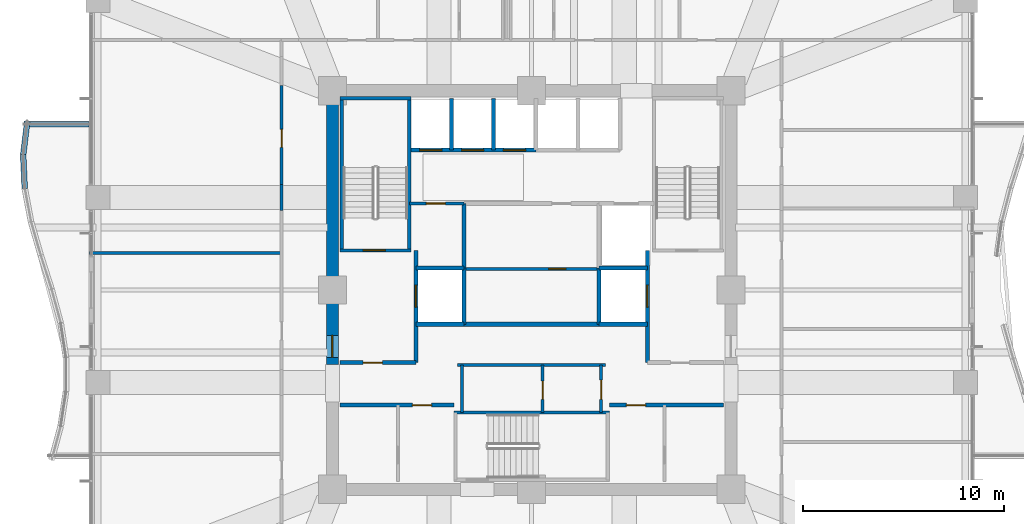
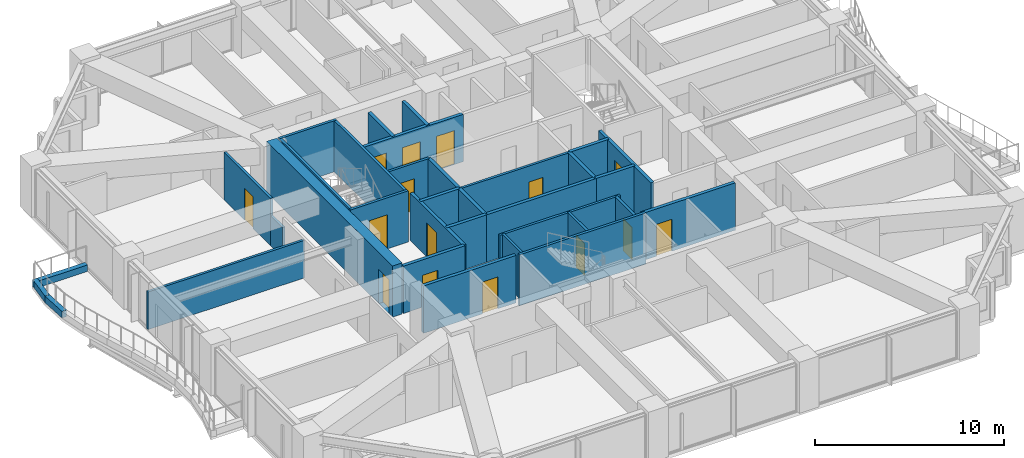
# One storey, part 33 of 39: 34 walls, 15 doors, 15 openings.
"""IFC4 building model written with IfcOpenShell, lengths in metres."""

from ifc_helpers import new_model, si_unit, direction, frame, frame_2d, origin, place, context, subcontext, project, spatial, rectangle, extrude, material, layer, layer_set, type_object, element, fill, save


model = new_model("IFC4")

# Units and contexts
model_context = context("Model", 3, precision=1e-05, world=origin(), true_north=direction((0.0, 1.0)))
body_context = subcontext(model_context, "Body", "Model", "MODEL_VIEW")
ifc_project = project(units=[si_unit("LENGTHUNIT", "METRE"), si_unit("AREAUNIT", "SQUARE_METRE"), si_unit("VOLUMEUNIT", "CUBIC_METRE"), si_unit("PLANEANGLEUNIT", "RADIAN"), si_unit("MASSUNIT", "GRAM", prefix="KILO")], contexts=[model_context])

# Site, building, storey
site_placement = place(None, origin())
site = spatial("IfcSite", under=ifc_project, at=site_placement, CompositionType="ELEMENT")
building_placement = place(site_placement, origin())
building = spatial("IfcBuilding", under=site, at=building_placement, Name="Kolvaren Belvedere", CompositionType="ELEMENT")
storey_placement = place(building_placement, frame((0.0, 0.0, 33.699951171875)))
storey = spatial("IfcBuildingStorey", under=building, at=storey_placement, Name="L09", CompositionType="ELEMENT", Elevation=33.699951171875)

# Wall, opening, door
ifc_material_1 = material(Name="Concrete C60/75", Category="concrete")
ifc_layer_1 = layer(ifc_material_1, 0.60009765625)
ifc_layer_set_1 = layer_set([ifc_layer_1], Name="Concrete C60/75")
wall_type_1 = type_object("IfcWallType", Name="CW-CORE-600", PredefinedType="SHEAR", material=ifc_layer_set_1)
wall_1_placement = place(storey_placement, frame((-9.89990234375, -3.699951171875, 0.0), z_axis=(0.0, 0.0, 1.0), x_axis=(0.0, 1.0, 0.0)))
wall_1 = element("IfcWall", 1, at=wall_1_placement, inside=storey, type_object=wall_type_1, Name="L09 West Core Shear Wall 2", PredefinedType="SHEAR", context=body_context, shape_type="SweptSolid", body=[
    extrude(rectangle(XDim=13.300048828125, YDim=0.60009765625, at=frame_2d((6.64990234375, 0.0))), origin(), (0.0, 0.0, 1.0), 3.300048828125),
])
opening_1_placement = place(wall_1_placement, frame((0.35009765625, 0.0, 0.0)))
opening_1 = element("IfcOpeningElement", 2, at=opening_1_placement, cuts=wall_1, Name="Opening D-FD90", PredefinedType="OPENING", context=body_context, shape_type="SweptSolid", body=[
    extrude(rectangle(XDim=1.10009765625, YDim=2.199951171875, at=frame_2d((0.550048828125, 1.10009765625))), frame((0.0, 0.31005859375, 0.0), z_axis=(0.0, -1.0, 0.0), x_axis=(1.0, 0.0, 0.0)), (0.0, 0.0, 1.0), 0.6201171875),
])
ifc_material_2 = material(Name="Painted hollow stainless steel", Category="steel")
door_type_1 = type_object("IfcDoorType", Name="DR-FD90-1100", OperationType="NOTDEFINED", PredefinedType="DOOR", material=ifc_material_2)
door_1_placement = place(opening_1_placement, origin())
door_1 = element("IfcDoor", 3, at=door_1_placement, inside=storey, type_object=door_type_1, Name="L09 West Firefighting Lobby Fire Door", OperationType="SINGLE_SWING_LEFT", OverallHeight=2.199951171875, OverallWidth=1.10009765625, PredefinedType="DOOR", context=body_context, shape_type="SweptSolid", body=[
    extrude(rectangle(XDim=1.10009765625, YDim=2.199951171875, at=frame_2d((0.550048828125, 1.10009765625))), frame((0.0, 0.02490234375, 0.0), z_axis=(0.0, -1.0, 0.0), x_axis=(1.0, 0.0, 0.0)), (0.0, 0.0, 1.0), 0.050048828125),
])
fill(opening_1, door_1)

ifc_material_3 = material(Name="Concrete C50/60", Category="concrete")
ifc_layer_2 = layer(ifc_material_3, 0.159912109375)
ifc_layer_set_2 = layer_set([ifc_layer_2], Name="Concrete C50/60")
wall_type_2 = type_object("IfcWallType", Name="CW-STAIR-160", PredefinedType="SHEAR", material=ifc_layer_set_2)
wall_2_placement = place(storey_placement, frame((-9.52001953125, 1.969970703125, 0.0), z_axis=(0.0, 0.0, 1.0), x_axis=(1.0, 0.0, 0.0)))
wall_2 = element("IfcWall", 4, at=wall_2_placement, inside=storey, type_object=wall_type_2, Name="L09 Stair ST-1 South Shear Wall", PredefinedType="SHEAR", context=body_context, shape_type="SweptSolid", body=[
    extrude(rectangle(XDim=3.52001953125, YDim=0.159912109375, at=frame_2d((1.760009765625, 0.0))), origin(), (0.0, 0.0, 1.0), 3.300048828125),
])
opening_2_placement = place(wall_2_placement, frame((1.14990234375, 0.0, 0.0)))
opening_2 = element("IfcOpeningElement", 5, at=opening_2_placement, cuts=wall_2, Name="Opening D-FD90", PredefinedType="OPENING", context=body_context, shape_type="SweptSolid", body=[
    extrude(rectangle(XDim=1.10009765625, YDim=2.199951171875, at=frame_2d((0.550048828125, 1.10009765625))), frame((0.0, 0.08984375, 0.0), z_axis=(0.0, -1.0, 0.0), x_axis=(1.0, 0.0, 0.0)), (0.0, 0.0, 1.0), 0.179931640625),
])
door_2_placement = place(opening_2_placement, origin())
door_2 = element("IfcDoor", 6, at=door_2_placement, inside=storey, type_object=door_type_1, Name="L09 Stair ST-1 Fire Door", OperationType="SINGLE_SWING_LEFT", OverallHeight=2.199951171875, OverallWidth=1.10009765625, PredefinedType="DOOR", context=body_context, shape_type="SweptSolid", body=[
    extrude(rectangle(XDim=1.10009765625, YDim=2.199951171875, at=frame_2d((0.550048828125, 1.10009765625))), frame((0.0, 0.02490234375, 0.0), z_axis=(0.0, -1.0, 0.0), x_axis=(1.0, 0.0, 0.0)), (0.0, 0.0, 1.0), 0.050048828125),
])
fill(opening_2, door_2)

# Walls
wall_3_placement = place(storey_placement, frame((-9.52001953125, 9.530029296875, 0.0), z_axis=(0.0, 0.0, 1.0), x_axis=(1.0, 0.0, 0.0)))
element("IfcWall", 7, at=wall_3_placement, inside=storey, type_object=wall_type_2, Name="L09 Stair ST-1 North Shear Wall", PredefinedType="SHEAR", context=body_context, shape_type="SweptSolid", body=[
    extrude(rectangle(XDim=3.52001953125, YDim=0.159912109375, at=frame_2d((1.760009765625, 0.0))), origin(), (0.0, 0.0, 1.0), 3.300048828125),
])
for number, where, z_axis, x_axis, name in (
    (8, (-9.429931640625, 1.969970703125, 0.0), (0.0, 0.0, 1.0), (0.0, 1.0, 0.0), "L09 Stair ST-1 West Shear Wall"),
    (9, (-6.080078125, 1.969970703125, 0.0), (0.0, 0.0, 1.0), (0.0, 1.0, 0.0), "L09 Stair ST-1 East Shear Wall"),
):
    element("IfcWall", number, at=place(storey_placement, frame(where, z_axis=z_axis, x_axis=x_axis)), inside=storey, type_object=wall_type_2, Name=name, PredefinedType="SHEAR", context=body_context, shape_type="SweptSolid", body=[
        extrude(rectangle(XDim=7.56005859375, YDim=0.159912109375, at=frame_2d((3.780029296875, 0.0))), origin(), (0.0, 0.0, 1.0), 3.300048828125),
    ])
wall_4_placement = place(storey_placement, frame((-3.860107421875, -6.080078125, 0.0), z_axis=(0.0, 0.0, 1.0), x_axis=(1.0, 0.0, 0.0)))
element("IfcWall", 10, at=wall_4_placement, inside=storey, type_object=wall_type_2, Name="L09 Stair ST-3 North Shear Wall", PredefinedType="SHEAR", context=body_context, shape_type="SweptSolid", body=[
    extrude(rectangle(XDim=7.72021484375, YDim=0.159912109375, at=frame_2d((3.860107421875, 0.0))), origin(), (0.0, 0.0, 1.0), 3.300048828125),
])
ifc_material_4 = material(Name="Gypsum fire-rated partition assembly", Category="gypsum")
ifc_layer_3 = layer(ifc_material_4, 0.14990234375)
ifc_layer_set_3 = layer_set([ifc_layer_3], Name="Gypsum fire-rated partition assembly")
wall_type_3 = type_object("IfcWallType", Name="WL-CORR-150", PredefinedType="PARTITIONING", material=ifc_layer_set_3)
wall_5_placement = place(storey_placement, frame((-12.419921875, 3.9580078125, 0.0), z_axis=(0.0, 0.0, 1.0), x_axis=(0.0, 1.0, 0.0)))
element("IfcWall", 11, at=wall_5_placement, inside=storey, type_object=wall_type_3, Name="L09 West Corridor Wall", PredefinedType="PARTITIONING", context=body_context, shape_type="SweptSolid", body=[
    extrude(rectangle(XDim=1.283935546875, YDim=0.14990234375, at=frame_2d((0.64208984375, 0.0))), origin(), (0.0, 0.0, 1.0), 1.945068359375),
])

# Wall, opening, door
wall_6_placement = place(storey_placement, frame((-12.419921875, 5.241943359375, 0.0), z_axis=(0.0, 0.0, 1.0), x_axis=(0.0, 1.0, 0.0)))
wall_6 = element("IfcWall", 12, at=wall_6_placement, inside=storey, type_object=wall_type_3, Name="L09 West Corridor Wall", PredefinedType="PARTITIONING", context=body_context, shape_type="SweptSolid", body=[
    extrude(rectangle(XDim=4.911865234375, YDim=0.14990234375, at=frame_2d((2.4560546875, 0.0))), origin(), (0.0, 0.0, 1.0), 3.06005859375),
])
opening_3_placement = place(wall_6_placement, frame((1.843017578125, 0.0, 0.0)))
opening_3 = element("IfcOpeningElement", 13, at=opening_3_placement, cuts=wall_6, Name="Opening D-INT90", PredefinedType="OPENING", context=body_context, shape_type="SweptSolid", body=[
    extrude(rectangle(XDim=0.89990234375, YDim=2.06005859375, at=frame_2d((0.449951171875, 1.030029296875))), frame((0.0, 0.0849609375, 0.0), z_axis=(0.0, -1.0, 0.0), x_axis=(1.0, 0.0, 0.0)), (0.0, 0.0, 1.0), 0.169921875),
])
ifc_material_5 = material(Name="Stained Pacific white oak", Category="timber")
door_type_2 = type_object("IfcDoorType", Name="DR-INT-900", OperationType="NOTDEFINED", PredefinedType="DOOR", material=ifc_material_5)
door_3_placement = place(opening_3_placement, origin())
door_3 = element("IfcDoor", 14, at=door_3_placement, inside=storey, type_object=door_type_2, Name="L09 Lounge 910 Door", OperationType="SINGLE_SWING_RIGHT", OverallHeight=2.06005859375, OverallWidth=0.89990234375, PredefinedType="DOOR", context=body_context, shape_type="SweptSolid", body=[
    extrude(rectangle(XDim=0.89990234375, YDim=2.06005859375, at=frame_2d((0.449951171875, 1.030029296875))), frame((0.0, 0.02490234375, 0.0), z_axis=(0.0, -1.0, 0.0), x_axis=(1.0, 0.0, 0.0)), (0.0, 0.0, 1.0), 0.050048828125),
])
fill(opening_3, door_3)

ifc_material_6 = material(Name="Gypsum acoustic partition assembly", Category="gypsum")
ifc_layer_4 = layer(ifc_material_6, 0.14990234375)
ifc_layer_set_4 = layer_set([ifc_layer_4], Name="Gypsum acoustic partition assembly")
wall_type_4 = type_object("IfcWallType", Name="WL-PART-150", PredefinedType="PARTITIONING", material=ifc_layer_set_4)
wall_7_placement = place(storey_placement, frame((-3.35009765625, 1.050048828125, 0.0), z_axis=(0.0, 0.0, 1.0), x_axis=(1.0, 0.0, 0.0)))
wall_7 = element("IfcWall", 15, at=wall_7_placement, inside=storey, type_object=wall_type_4, Name="L09 Central Core H-Divider", PredefinedType="PARTITIONING", context=body_context, shape_type="SweptSolid", body=[
    extrude(rectangle(XDim=6.7001953125, YDim=0.14990234375, at=frame_2d((3.35009765625, 0.0))), origin(), (0.0, 0.0, 1.0), 3.06005859375),
])
opening_4_placement = place(wall_7_placement, frame((4.199951171875, 0.0, 0.0)))
opening_4 = element("IfcOpeningElement", 16, at=opening_4_placement, cuts=wall_7, Name="Opening D-INT85", PredefinedType="OPENING", context=body_context, shape_type="SweptSolid", body=[
    extrude(rectangle(XDim=0.85009765625, YDim=2.030029296875, at=frame_2d((0.425048828125, 1.01513671875))), frame((0.0, 0.0849609375, 0.0), z_axis=(0.0, -1.0, 0.0), x_axis=(1.0, 0.0, 0.0)), (0.0, 0.0, 1.0), 0.169921875),
])
ifc_material_7 = material(Name="Stained Pacific white oak", Category="timber")
door_type_3 = type_object("IfcDoorType", Name="DR-INT-850", OperationType="NOTDEFINED", PredefinedType="DOOR", material=ifc_material_7)
door_4_placement = place(opening_4_placement, origin())
door_4 = element("IfcDoor", 17, at=door_4_placement, inside=storey, type_object=door_type_3, Name="L09 Central Archive Door", OperationType="SINGLE_SWING_LEFT", OverallHeight=2.030029296875, OverallWidth=0.85009765625, PredefinedType="DOOR", context=body_context, shape_type="SweptSolid", body=[
    extrude(rectangle(XDim=0.85009765625, YDim=2.030029296875, at=frame_2d((0.425048828125, 1.01513671875))), frame((0.0, 0.02490234375, 0.0), z_axis=(0.0, -1.0, 0.0), x_axis=(1.0, 0.0, 0.0)), (0.0, 0.0, 1.0), 0.050048828125),
])
fill(opening_4, door_4)

# Wall
wall_8_placement = place(storey_placement, frame((-3.679931640625, -3.719970703125, 0.0), z_axis=(0.0, 0.0, 1.0), x_axis=(1.0, 0.0, 0.0)))
element("IfcWall", 18, at=wall_8_placement, inside=storey, type_object=wall_type_4, Name="L09 South Core Service North Wall", PredefinedType="PARTITIONING", context=body_context, shape_type="SweptSolid", body=[
    extrude(rectangle(XDim=7.35986328125, YDim=0.14990234375, at=frame_2d((3.679931640625, 0.0))), origin(), (0.0, 0.0, 1.0), 3.06005859375),
])

# Wall, opening, door
wall_9_placement = place(storey_placement, frame((3.449951171875, -6.080078125, 0.0), z_axis=(0.0, 0.0, 1.0), x_axis=(0.0, 1.0, 0.0)))
wall_9 = element("IfcWall", 19, at=wall_9_placement, inside=storey, type_object=wall_type_4, Name="L09 South Core Service East Wall", PredefinedType="PARTITIONING", context=body_context, shape_type="SweptSolid", body=[
    extrude(rectangle(XDim=2.360107421875, YDim=0.14990234375, at=frame_2d((1.18017578125, 0.0))), origin(), (0.0, 0.0, 1.0), 3.06005859375),
])
opening_5_placement = place(wall_9_placement, frame((0.64990234375, 0.0, 0.0)))
opening_5 = element("IfcOpeningElement", 20, at=opening_5_placement, cuts=wall_9, Name="Opening D-FD60", PredefinedType="OPENING", context=body_context, shape_type="SweptSolid", body=[
    extrude(rectangle(XDim=0.949951171875, YDim=2.06005859375, at=frame_2d((0.47509765625, 1.030029296875))), frame((0.0, 0.0849609375, 0.0), z_axis=(0.0, -1.0, 0.0), x_axis=(1.0, 0.0, 0.0)), (0.0, 0.0, 1.0), 0.169921875),
])
ifc_material_8 = material(Name="Acoustic white-oak fire door leaf", Category="timber")
door_type_4 = type_object("IfcDoorType", Name="DR-FD60-950", OperationType="NOTDEFINED", PredefinedType="DOOR", material=ifc_material_8)
door_5_placement = place(opening_5_placement, origin())
door_5 = element("IfcDoor", 21, at=door_5_placement, inside=storey, type_object=door_type_4, Name="L09 Core Service Room Door", OperationType="SINGLE_SWING_LEFT", OverallHeight=2.06005859375, OverallWidth=0.949951171875, PredefinedType="DOOR", context=body_context, shape_type="SweptSolid", body=[
    extrude(rectangle(XDim=0.949951171875, YDim=2.06005859375, at=frame_2d((0.47509765625, 1.030029296875))), frame((0.0, 0.02490234375, 0.0), z_axis=(0.0, -1.0, 0.0), x_axis=(1.0, 0.0, 0.0)), (0.0, 0.0, 1.0), 0.050048828125),
])
fill(opening_5, door_5)

# Wall
wall_10_placement = place(storey_placement, frame((-3.449951171875, -6.080078125, 0.0), z_axis=(0.0, 0.0, 1.0), x_axis=(0.0, 1.0, 0.0)))
element("IfcWall", 22, at=wall_10_placement, inside=storey, type_object=wall_type_4, Name="L09 South Core Service West Wall", PredefinedType="PARTITIONING", context=body_context, shape_type="SweptSolid", body=[
    extrude(rectangle(XDim=2.360107421875, YDim=0.14990234375, at=frame_2d((1.18017578125, 0.0))), origin(), (0.0, 0.0, 1.0), 3.06005859375),
])

# Wall, opening, door
wall_11_placement = place(storey_placement, frame((0.550048828125, -6.080078125, 0.0), z_axis=(0.0, 0.0, 1.0), x_axis=(0.0, 1.0, 0.0)))
wall_11 = element("IfcWall", 23, at=wall_11_placement, inside=storey, type_object=wall_type_4, Name="L09 Core Service Divider", PredefinedType="PARTITIONING", context=body_context, shape_type="SweptSolid", body=[
    extrude(rectangle(XDim=2.360107421875, YDim=0.14990234375, at=frame_2d((1.18017578125, 0.0))), origin(), (0.0, 0.0, 1.0), 3.06005859375),
])
opening_6_placement = place(wall_11_placement, frame((0.64990234375, 0.0, 0.0)))
opening_6 = element("IfcOpeningElement", 24, at=opening_6_placement, cuts=wall_11, Name="Opening D-INT90", PredefinedType="OPENING", context=body_context, shape_type="SweptSolid", body=[
    extrude(rectangle(XDim=0.89990234375, YDim=2.06005859375, at=frame_2d((0.449951171875, 1.030029296875))), frame((0.0, 0.0849609375, 0.0), z_axis=(0.0, -1.0, 0.0), x_axis=(1.0, 0.0, 0.0)), (0.0, 0.0, 1.0), 0.169921875),
])
door_6_placement = place(opening_6_placement, origin())
door_6 = element("IfcDoor", 25, at=door_6_placement, inside=storey, type_object=door_type_2, Name="L09 BMS Inner Door", OperationType="SINGLE_SWING_LEFT", OverallHeight=2.06005859375, OverallWidth=0.89990234375, PredefinedType="DOOR", context=body_context, shape_type="SweptSolid", body=[
    extrude(rectangle(XDim=0.89990234375, YDim=2.06005859375, at=frame_2d((0.449951171875, 1.030029296875))), frame((0.0, 0.02490234375, 0.0), z_axis=(0.0, -1.0, 0.0), x_axis=(1.0, 0.0, 0.0)), (0.0, 0.0, 1.0), 0.050048828125),
])
fill(opening_6, door_6)

wall_12_placement = place(storey_placement, frame((-6.080078125, 4.300048828125, 0.0), z_axis=(0.0, 0.0, 1.0), x_axis=(1.0, 0.0, 0.0)))
wall_12 = element("IfcWall", 26, at=wall_12_placement, inside=storey, type_object=wall_type_4, Name="L09 NW Service Room North Wall", PredefinedType="PARTITIONING", context=body_context, shape_type="SweptSolid", body=[
    extrude(rectangle(XDim=2.72998046875, YDim=0.14990234375, at=frame_2d((1.364990234375, 0.0))), origin(), (0.0, 0.0, 1.0), 3.06005859375),
])
opening_7_placement = place(wall_12_placement, frame((0.85009765625, 0.0, 0.0)))
opening_7 = element("IfcOpeningElement", 27, at=opening_7_placement, cuts=wall_12, Name="Opening D-FD60", PredefinedType="OPENING", context=body_context, shape_type="SweptSolid", body=[
    extrude(rectangle(XDim=0.949951171875, YDim=2.06005859375, at=frame_2d((0.47509765625, 1.030029296875))), frame((0.0, 0.0849609375, 0.0), z_axis=(0.0, -1.0, 0.0), x_axis=(1.0, 0.0, 0.0)), (0.0, 0.0, 1.0), 0.169921875),
])
door_7_placement = place(opening_7_placement, origin())
door_7 = element("IfcDoor", 28, at=door_7_placement, inside=storey, type_object=door_type_4, Name="L09 NW Core Store Door", OperationType="SINGLE_SWING_RIGHT", OverallHeight=2.06005859375, OverallWidth=0.949951171875, PredefinedType="DOOR", context=body_context, shape_type="SweptSolid", body=[
    extrude(rectangle(XDim=0.949951171875, YDim=2.06005859375, at=frame_2d((0.47509765625, 1.030029296875))), frame((0.0, 0.02490234375, 0.0), z_axis=(0.0, -1.0, 0.0), x_axis=(1.0, 0.0, 0.0)), (0.0, 0.0, 1.0), 0.050048828125),
])
fill(opening_7, door_7)

# Walls
wall_13_placement = place(storey_placement, frame((-21.97998046875, 1.843994140625, 0.0), z_axis=(0.0, 0.0, 1.0), x_axis=(1.0, 0.0, 0.0)))
element("IfcWall", 29, at=wall_13_placement, inside=storey, type_object=wall_type_4, Name="L09 West Suite Demising Wall 2", PredefinedType="PARTITIONING", context=body_context, shape_type="SweptSolid", body=[
    extrude(rectangle(XDim=9.56005859375, YDim=0.14990234375, at=frame_2d((4.780029296875, 0.0))), origin(), (0.0, 0.0, 1.0), 2.428955078125),
])
ifc_material_9 = material(Name="Precast concrete C40/50", Category="concrete")
ifc_layer_5 = layer(ifc_material_9, 0.300048828125)
ifc_layer_set_5 = layer_set([ifc_layer_5], Name="Precast concrete C40/50")
wall_type_5 = type_object("IfcWallType", Name="WL-PLANTER-300", PredefinedType="PARAPET", material=ifc_layer_set_5)
wall_14_placement = place(storey_placement, frame((-25.054931640625, 8.380615234375, -0.06005859375), z_axis=(0.0, 0.0, 1.0), x_axis=(-0.121868867697, -0.992546210051, 0.0)))
element("IfcWall", 30, at=wall_14_placement, inside=storey, type_object=wall_type_5, Name="L09 Precast Structural Planter Wall BAL-W-1", PredefinedType="PARAPET", context=body_context, shape_type="SweptSolid", body=[
    extrude(rectangle(XDim=1.69287109375, YDim=0.280029296875, at=frame_2d((0.846435546875, 0.0))), origin(), (0.0, 0.0, 1.0), 0.420166015625),
])
wall_15_placement = place(storey_placement, frame((-25.26025390625, 6.727294921875, -0.06005859375), z_axis=(0.0, 0.0, 1.0), x_axis=(0.045144279054, -0.998980477321, 0.0)))
element("IfcWall", 31, at=wall_15_placement, inside=storey, type_object=wall_type_5, Name="L09 Precast Structural Planter Wall BAL-W-2", PredefinedType="PARAPET", context=body_context, shape_type="SweptSolid", body=[
    extrude(rectangle(XDim=1.681884765625, YDim=0.280029296875, at=frame_2d((0.8408203125, 0.0))), origin(), (0.0, 0.0, 1.0), 0.420166015625),
])
wall_16_placement = place(storey_placement, frame((-22.0, 8.239990234375, -0.06005859375), z_axis=(0.0, 0.0, 1.0), x_axis=(-1.0, 0.0, 0.0)))
element("IfcWall", 32, at=wall_16_placement, inside=storey, type_object=wall_type_5, Name="L09 Precast Structural Planter Wall BAL-W-22", PredefinedType="PARAPET", context=body_context, shape_type="SweptSolid", body=[
    extrude(rectangle(XDim=3.213623046875, YDim=0.280029296875, at=frame_2d((1.60693359375, 0.0))), origin(), (0.0, 0.0, 1.0), 0.420166015625),
])

# Wall, opening, door
ifc_material_10 = material(Name="Concrete C50/60", Category="concrete")
ifc_layer_6 = layer(ifc_material_10, 0.199951171875)
ifc_layer_set_6 = layer_set([ifc_layer_6], Name="Concrete C50/60")
wall_type_6 = type_object("IfcWallType", Name="WL-SHAFT-200", PredefinedType="SOLIDWALL", material=ifc_layer_set_6)
wall_17_placement = place(storey_placement, frame((-9.52001953125, -3.60009765625, 0.0), z_axis=(0.0, 0.0, 1.0), x_axis=(1.0, 0.0, 0.0)))
wall_17 = element("IfcWall", 33, at=wall_17_placement, inside=storey, type_object=wall_type_6, Name="L09 West FSAE Lobby South Wall", PredefinedType="SOLIDWALL", context=body_context, shape_type="SweptSolid", body=[
    extrude(rectangle(XDim=3.77001953125, YDim=0.199951171875, at=frame_2d((1.885009765625, 0.0))), origin(), (0.0, 0.0, 1.0), 3.06005859375),
])
opening_8_placement = place(wall_17_placement, frame((1.14990234375, 0.0, 0.0)))
opening_8 = element("IfcOpeningElement", 34, at=opening_8_placement, cuts=wall_17, Name="Opening D-FD60", PredefinedType="OPENING", context=body_context, shape_type="SweptSolid", body=[
    extrude(rectangle(XDim=0.949951171875, YDim=2.06005859375, at=frame_2d((0.47509765625, 1.030029296875))), frame((0.0, 0.10986328125, 0.0), z_axis=(0.0, -1.0, 0.0), x_axis=(1.0, 0.0, 0.0)), (0.0, 0.0, 1.0), 0.219970703125),
])
door_8_placement = place(opening_8_placement, origin())
door_8 = element("IfcDoor", 35, at=door_8_placement, inside=storey, type_object=door_type_4, Name="L09 SW Lift Lobby Fire Door", OperationType="SINGLE_SWING_LEFT", OverallHeight=2.06005859375, OverallWidth=0.949951171875, PredefinedType="DOOR", context=body_context, shape_type="SweptSolid", body=[
    extrude(rectangle(XDim=0.949951171875, YDim=2.06005859375, at=frame_2d((0.47509765625, 1.030029296875))), frame((0.0, 0.02490234375, 0.0), z_axis=(0.0, -1.0, 0.0), x_axis=(1.0, 0.0, 0.0)), (0.0, 0.0, 1.0), 0.050048828125),
])
fill(opening_8, door_8)

wall_18_placement = place(storey_placement, frame((-5.75, -3.60009765625, 0.0), z_axis=(0.0, 0.0, 1.0), x_axis=(0.0, 1.0, 0.0)))
wall_18 = element("IfcWall", 36, at=wall_18_placement, inside=storey, type_object=wall_type_6, Name="L09 FSAE FS1 Landing Wall", PredefinedType="SOLIDWALL", context=body_context, shape_type="SweptSolid", body=[
    extrude(rectangle(XDim=5.570068359375, YDim=0.199951171875, at=frame_2d((2.78515625, 0.0))), origin(), (0.0, 0.0, 1.0), 3.06005859375),
])
opening_9_placement = place(wall_18_placement, frame((2.75, 0.0, 0.0)))
opening_9 = element("IfcOpeningElement", 37, at=opening_9_placement, cuts=wall_18, Name="Opening LD-11", PredefinedType="OPENING", context=body_context, shape_type="SweptSolid", body=[
    extrude(rectangle(XDim=1.10009765625, YDim=2.199951171875, at=frame_2d((0.550048828125, 1.10009765625))), frame((0.0, 0.10986328125, 0.0), z_axis=(0.0, -1.0, 0.0), x_axis=(1.0, 0.0, 0.0)), (0.0, 0.0, 1.0), 0.219970703125),
])
ifc_material_11 = material(Name="Brushed stainless steel", Category="steel")
door_type_5 = type_object("IfcDoorType", Name="DR-LIFT-1100", OperationType="DOUBLE_DOOR_SLIDING", PredefinedType="DOOR", material=ifc_material_11)
door_9_placement = place(opening_9_placement, origin())
door_9 = element("IfcDoor", 38, at=door_9_placement, inside=storey, type_object=door_type_5, Name="L09 Firefighting Lift FS1 Landing Door", OperationType="DOUBLE_DOOR_SLIDING", OverallHeight=2.199951171875, OverallWidth=1.10009765625, PredefinedType="DOOR", context=body_context, shape_type="SweptSolid", body=[
    extrude(rectangle(XDim=1.10009765625, YDim=2.199951171875, at=frame_2d((0.550048828125, 1.10009765625))), frame((0.0, 0.02490234375, 0.0), z_axis=(0.0, -1.0, 0.0), x_axis=(1.0, 0.0, 0.0)), (0.0, 0.0, 1.0), 0.050048828125),
])
fill(opening_9, door_9)

# Walls
wall_19_placement = place(storey_placement, frame((-3.35009765625, -1.699951171875, 0.0), z_axis=(0.0, 0.0, 1.0), x_axis=(0.0, 1.0, 0.0)))
element("IfcWall", 39, at=wall_19_placement, inside=storey, type_object=wall_type_6, Name="L09 FSAE FS1 Back Wall", PredefinedType="SOLIDWALL", context=body_context, shape_type="SweptSolid", body=[
    extrude(rectangle(XDim=2.800048828125, YDim=0.199951171875, at=frame_2d((1.39990234375, 0.0))), origin(), (0.0, 0.0, 1.0), 3.06005859375),
])
for number, where, z_axis, x_axis, name in (
    (40, (-5.75, -1.699951171875, 0.0), (0.0, 0.0, 1.0), (1.0, 0.0, 0.0), "L09 FSAE FS1 South Wall"),
    (41, (-5.75, 1.10009765625, 0.0), (0.0, 0.0, 1.0), (1.0, 0.0, 0.0), "L09 FSAE FS1 North Wall"),
):
    element("IfcWall", number, at=place(storey_placement, frame(where, z_axis=z_axis, x_axis=x_axis)), inside=storey, type_object=wall_type_6, Name=name, PredefinedType="SOLIDWALL", context=body_context, shape_type="SweptSolid", body=[
        extrude(rectangle(XDim=2.39990234375, YDim=0.199951171875, at=frame_2d((1.199951171875, 0.0))), origin(), (0.0, 0.0, 1.0), 3.06005859375),
    ])

# Wall, opening, door
wall_20_placement = place(storey_placement, frame((5.75, -3.60009765625, 0.0), z_axis=(0.0, 0.0, 1.0), x_axis=(0.0, 1.0, 0.0)))
wall_20 = element("IfcWall", 42, at=wall_20_placement, inside=storey, type_object=wall_type_6, Name="L09 FSAE FS2 Landing Wall", PredefinedType="SOLIDWALL", context=body_context, shape_type="SweptSolid", body=[
    extrude(rectangle(XDim=5.570068359375, YDim=0.199951171875, at=frame_2d((2.78515625, 0.0))), origin(), (0.0, 0.0, 1.0), 3.06005859375),
])
opening_10_placement = place(wall_20_placement, frame((2.75, 0.0, 0.0)))
opening_10 = element("IfcOpeningElement", 43, at=opening_10_placement, cuts=wall_20, Name="Opening LD-11", PredefinedType="OPENING", context=body_context, shape_type="SweptSolid", body=[
    extrude(rectangle(XDim=1.10009765625, YDim=2.199951171875, at=frame_2d((0.550048828125, 1.10009765625))), frame((0.0, 0.10986328125, 0.0), z_axis=(0.0, -1.0, 0.0), x_axis=(1.0, 0.0, 0.0)), (0.0, 0.0, 1.0), 0.219970703125),
])
door_10_placement = place(opening_10_placement, origin())
door_10 = element("IfcDoor", 44, at=door_10_placement, inside=storey, type_object=door_type_5, Name="L09 Firefighting Lift FS2 Landing Door", OperationType="DOUBLE_DOOR_SLIDING", OverallHeight=2.199951171875, OverallWidth=1.10009765625, PredefinedType="DOOR", context=body_context, shape_type="SweptSolid", body=[
    extrude(rectangle(XDim=1.10009765625, YDim=2.199951171875, at=frame_2d((0.550048828125, 1.10009765625))), frame((0.0, 0.02490234375, 0.0), z_axis=(0.0, -1.0, 0.0), x_axis=(1.0, 0.0, 0.0)), (0.0, 0.0, 1.0), 0.050048828125),
])
fill(opening_10, door_10)

# Walls
wall_21_placement = place(storey_placement, frame((3.35009765625, -1.699951171875, 0.0), z_axis=(0.0, 0.0, 1.0), x_axis=(0.0, 1.0, 0.0)))
element("IfcWall", 45, at=wall_21_placement, inside=storey, type_object=wall_type_6, Name="L09 FSAE FS2 Back Wall", PredefinedType="SOLIDWALL", context=body_context, shape_type="SweptSolid", body=[
    extrude(rectangle(XDim=2.800048828125, YDim=0.199951171875, at=frame_2d((1.39990234375, 0.0))), origin(), (0.0, 0.0, 1.0), 3.06005859375),
])
for number, where, z_axis, x_axis, name in (
    (46, (3.35009765625, -1.699951171875, 0.0), (0.0, 0.0, 1.0), (1.0, 0.0, 0.0), "L09 FSAE FS2 South Wall"),
    (47, (3.35009765625, 1.10009765625, 0.0), (0.0, 0.0, 1.0), (1.0, 0.0, 0.0), "L09 FSAE FS2 North Wall"),
):
    element("IfcWall", number, at=place(storey_placement, frame(where, z_axis=z_axis, x_axis=x_axis)), inside=storey, type_object=wall_type_6, Name=name, PredefinedType="SOLIDWALL", context=body_context, shape_type="SweptSolid", body=[
        extrude(rectangle(XDim=2.39990234375, YDim=0.199951171875, at=frame_2d((1.199951171875, 0.0))), origin(), (0.0, 0.0, 1.0), 3.06005859375),
    ])

# Wall, openings, doors
wall_22_placement = place(storey_placement, frame((-6.080078125, 6.949951171875, 0.0), z_axis=(0.0, 0.0, 1.0), x_axis=(1.0, 0.0, 0.0)))
wall_22 = element("IfcWall", 48, at=wall_22_placement, inside=storey, type_object=wall_type_6, Name="L09 Low-Rise Lift Bank Front Wall", PredefinedType="SOLIDWALL", context=body_context, shape_type="SweptSolid", body=[
    extrude(rectangle(XDim=6.300048828125, YDim=0.199951171875, at=frame_2d((3.14990234375, 0.0))), origin(), (0.0, 0.0, 1.0), 3.06005859375),
])
opening_11_placement = place(wall_22_placement, frame((0.52001953125, 0.0, 0.0)))
opening_11 = element("IfcOpeningElement", 49, at=opening_11_placement, cuts=wall_22, Name="Opening LD-11", PredefinedType="OPENING", context=body_context, shape_type="SweptSolid", body=[
    extrude(rectangle(XDim=1.10009765625, YDim=2.199951171875, at=frame_2d((0.550048828125, 1.10009765625))), frame((0.0, 0.10986328125, 0.0), z_axis=(0.0, -1.0, 0.0), x_axis=(1.0, 0.0, 0.0)), (0.0, 0.0, 1.0), 0.219970703125),
])
opening_12_placement = place(wall_22_placement, frame((2.60009765625, 0.0, 0.0)))
opening_12 = element("IfcOpeningElement", 50, at=opening_12_placement, cuts=wall_22, Name="Opening LD-11", PredefinedType="OPENING", context=body_context, shape_type="SweptSolid", body=[
    extrude(rectangle(XDim=1.10009765625, YDim=2.199951171875, at=frame_2d((0.550048828125, 1.10009765625))), frame((0.0, 0.10986328125, 0.0), z_axis=(0.0, -1.0, 0.0), x_axis=(1.0, 0.0, 0.0)), (0.0, 0.0, 1.0), 0.219970703125),
])
opening_13_placement = place(wall_22_placement, frame((4.679931640625, 0.0, 0.0)))
opening_13 = element("IfcOpeningElement", 51, at=opening_13_placement, cuts=wall_22, Name="Opening LD-11", PredefinedType="OPENING", context=body_context, shape_type="SweptSolid", body=[
    extrude(rectangle(XDim=1.10009765625, YDim=2.199951171875, at=frame_2d((0.550048828125, 1.10009765625))), frame((0.0, 0.10986328125, 0.0), z_axis=(0.0, -1.0, 0.0), x_axis=(1.0, 0.0, 0.0)), (0.0, 0.0, 1.0), 0.219970703125),
])
door_11_placement = place(opening_11_placement, origin())
door_11 = element("IfcDoor", 52, at=door_11_placement, inside=storey, type_object=door_type_5, Name="L09 Passenger Lift P1 Landing Door", OperationType="DOUBLE_DOOR_SLIDING", OverallHeight=2.199951171875, OverallWidth=1.10009765625, PredefinedType="DOOR", context=body_context, shape_type="SweptSolid", body=[
    extrude(rectangle(XDim=1.10009765625, YDim=2.199951171875, at=frame_2d((0.550048828125, 1.10009765625))), frame((0.0, 0.02490234375, 0.0), z_axis=(0.0, -1.0, 0.0), x_axis=(1.0, 0.0, 0.0)), (0.0, 0.0, 1.0), 0.050048828125),
])
fill(opening_11, door_11)
door_12_placement = place(opening_12_placement, origin())
door_12 = element("IfcDoor", 53, at=door_12_placement, inside=storey, type_object=door_type_5, Name="L09 Passenger Lift P2 Landing Door", OperationType="DOUBLE_DOOR_SLIDING", OverallHeight=2.199951171875, OverallWidth=1.10009765625, PredefinedType="DOOR", context=body_context, shape_type="SweptSolid", body=[
    extrude(rectangle(XDim=1.10009765625, YDim=2.199951171875, at=frame_2d((0.550048828125, 1.10009765625))), frame((0.0, 0.02490234375, 0.0), z_axis=(0.0, -1.0, 0.0), x_axis=(1.0, 0.0, 0.0)), (0.0, 0.0, 1.0), 0.050048828125),
])
fill(opening_12, door_12)
door_13_placement = place(opening_13_placement, origin())
door_13 = element("IfcDoor", 54, at=door_13_placement, inside=storey, type_object=door_type_5, Name="L09 Passenger Lift P3 Landing Door", OperationType="DOUBLE_DOOR_SLIDING", OverallHeight=2.199951171875, OverallWidth=1.10009765625, PredefinedType="DOOR", context=body_context, shape_type="SweptSolid", body=[
    extrude(rectangle(XDim=1.10009765625, YDim=2.199951171875, at=frame_2d((0.550048828125, 1.10009765625))), frame((0.0, 0.02490234375, 0.0), z_axis=(0.0, -1.0, 0.0), x_axis=(1.0, 0.0, 0.0)), (0.0, 0.0, 1.0), 0.050048828125),
])
fill(opening_13, door_13)

# Walls
for number, where, z_axis, x_axis, name in (
    (55, (-3.969970703125, 6.949951171875, 0.0), (0.0, 0.0, 1.0), (0.0, 1.0, 0.0), "L09 Low-Rise Hoistway Divider 1"),
    (56, (-1.889892578125, 6.949951171875, 0.0), (0.0, 0.0, 1.0), (0.0, 1.0, 0.0), "L09 Low-Rise Hoistway Divider 2"),
):
    element("IfcWall", number, at=place(storey_placement, frame(where, z_axis=z_axis, x_axis=x_axis)), inside=storey, type_object=wall_type_6, Name=name, PredefinedType="SOLIDWALL", context=body_context, shape_type="SweptSolid", body=[
        extrude(rectangle(XDim=2.570068359375, YDim=0.199951171875, at=frame_2d((1.28515625, 0.0))), origin(), (0.0, 0.0, 1.0), 3.06005859375),
    ])

# Wall, opening, door
wall_23_placement = place(storey_placement, frame((-9.52001953125, -5.719970703125, 0.0), z_axis=(0.0, 0.0, 1.0), x_axis=(1.0, 0.0, 0.0)))
wall_23 = element("IfcWall", 57, at=wall_23_placement, inside=storey, type_object=wall_type_6, Name="L09 SW Core Reserve Wall", PredefinedType="SOLIDWALL", context=body_context, shape_type="SweptSolid", body=[
    extrude(rectangle(XDim=5.659912109375, YDim=0.199951171875, at=frame_2d((2.830078125, 0.0))), origin(), (0.0, 0.0, 1.0), 3.06005859375),
])
opening_14_placement = place(wall_23_placement, frame((3.60009765625, 0.0, 0.0)))
opening_14 = element("IfcOpeningElement", 58, at=opening_14_placement, cuts=wall_23, Name="Opening D-FD60", PredefinedType="OPENING", context=body_context, shape_type="SweptSolid", body=[
    extrude(rectangle(XDim=0.949951171875, YDim=2.06005859375, at=frame_2d((0.47509765625, 1.030029296875))), frame((0.0, 0.10986328125, 0.0), z_axis=(0.0, -1.0, 0.0), x_axis=(1.0, 0.0, 0.0)), (0.0, 0.0, 1.0), 0.219970703125),
])
door_14_placement = place(opening_14_placement, origin())
door_14 = element("IfcDoor", 59, at=door_14_placement, inside=storey, type_object=door_type_4, Name="L09 SW Supply Door", OperationType="SINGLE_SWING_LEFT", OverallHeight=2.06005859375, OverallWidth=0.949951171875, PredefinedType="DOOR", context=body_context, shape_type="SweptSolid", body=[
    extrude(rectangle(XDim=0.949951171875, YDim=2.06005859375, at=frame_2d((0.47509765625, 1.030029296875))), frame((0.0, 0.02490234375, 0.0), z_axis=(0.0, -1.0, 0.0), x_axis=(1.0, 0.0, 0.0)), (0.0, 0.0, 1.0), 0.050048828125),
])
fill(opening_14, door_14)

wall_24_placement = place(storey_placement, frame((3.860107421875, -5.719970703125, 0.0), z_axis=(0.0, 0.0, 1.0), x_axis=(1.0, 0.0, 0.0)))
wall_24 = element("IfcWall", 60, at=wall_24_placement, inside=storey, type_object=wall_type_6, Name="L09 SE Core Distribution Wall", PredefinedType="SOLIDWALL", context=body_context, shape_type="SweptSolid", body=[
    extrude(rectangle(XDim=5.659912109375, YDim=0.199951171875, at=frame_2d((2.830078125, 0.0))), origin(), (0.0, 0.0, 1.0), 3.06005859375),
])
opening_15_placement = place(wall_24_placement, frame((0.85009765625, 0.0, 0.0)))
opening_15 = element("IfcOpeningElement", 61, at=opening_15_placement, cuts=wall_24, Name="Opening D-FD60", PredefinedType="OPENING", context=body_context, shape_type="SweptSolid", body=[
    extrude(rectangle(XDim=0.949951171875, YDim=2.06005859375, at=frame_2d((0.47509765625, 1.030029296875))), frame((0.0, 0.10986328125, 0.0), z_axis=(0.0, -1.0, 0.0), x_axis=(1.0, 0.0, 0.0)), (0.0, 0.0, 1.0), 0.219970703125),
])
door_15_placement = place(opening_15_placement, origin())
door_15 = element("IfcDoor", 62, at=door_15_placement, inside=storey, type_object=door_type_4, Name="L09 SE Telecom Door", OperationType="SINGLE_SWING_RIGHT", OverallHeight=2.06005859375, OverallWidth=0.949951171875, PredefinedType="DOOR", context=body_context, shape_type="SweptSolid", body=[
    extrude(rectangle(XDim=0.949951171875, YDim=2.06005859375, at=frame_2d((0.47509765625, 1.030029296875))), frame((0.0, 0.02490234375, 0.0), z_axis=(0.0, -1.0, 0.0), x_axis=(1.0, 0.0, 0.0)), (0.0, 0.0, 1.0), 0.050048828125),
])
fill(opening_15, door_15)

# Walls
wall_25_placement = place(storey_placement, frame((-3.35009765625, -1.699951171875, 0.0), z_axis=(0.0, 0.0, 1.0), x_axis=(1.0, 0.0, 0.0)))
element("IfcWall", 63, at=wall_25_placement, inside=storey, type_object=wall_type_6, Name="L09 Central Core Room South Wall", PredefinedType="SOLIDWALL", context=body_context, shape_type="SweptSolid", body=[
    extrude(rectangle(XDim=6.7001953125, YDim=0.199951171875, at=frame_2d((3.35009765625, 0.0))), origin(), (0.0, 0.0, 1.0), 3.06005859375),
])
wall_26_placement = place(storey_placement, frame((-3.35009765625, 1.10009765625, 0.0), z_axis=(0.0, 0.0, 1.0), x_axis=(0.0, 1.0, 0.0)))
element("IfcWall", 64, at=wall_26_placement, inside=storey, type_object=wall_type_6, Name="L09 Central Core Room West Wall", PredefinedType="SOLIDWALL", context=body_context, shape_type="SweptSolid", body=[
    extrude(rectangle(XDim=3.199951171875, YDim=0.199951171875, at=frame_2d((1.60009765625, 0.0))), origin(), (0.0, 0.0, 1.0), 3.06005859375),
])

save(model, "model.ifc")
